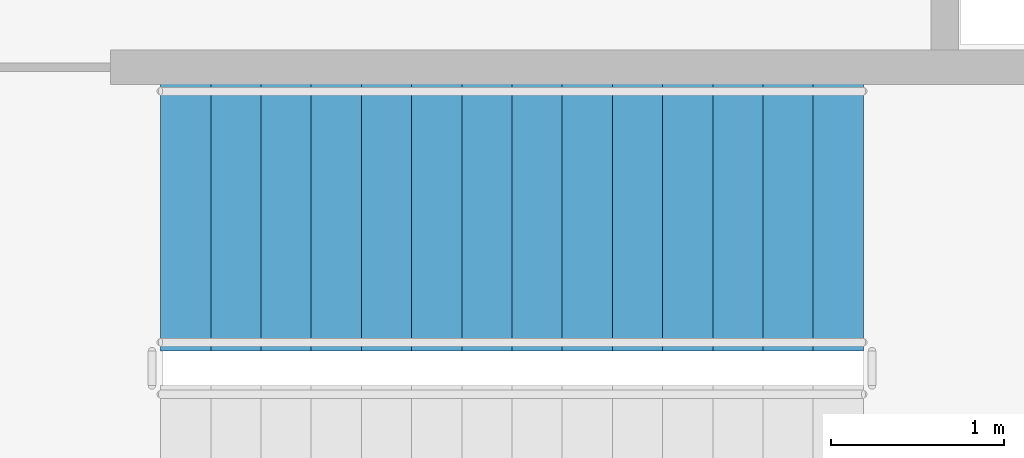
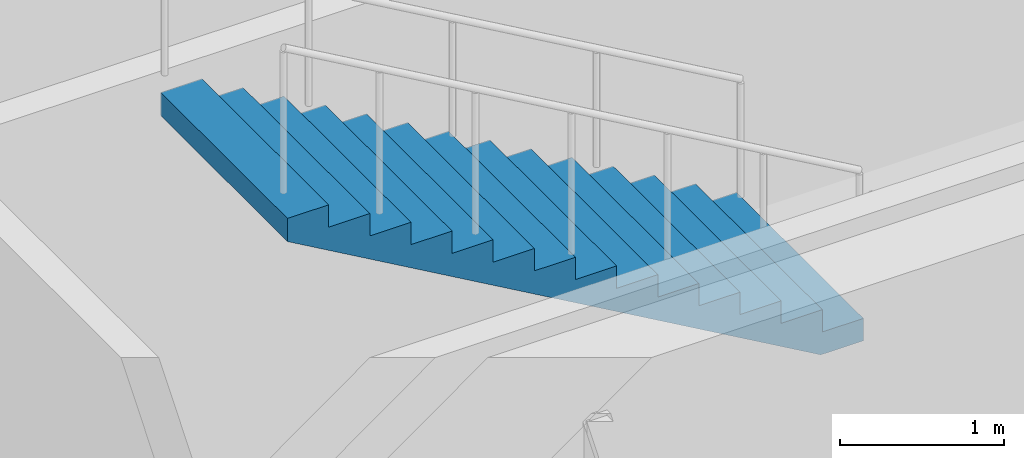
# One storey, part 20 of 23: 1 stair flight, 1 element without a shape of its own.
"""IFC4 building model written with IfcOpenShell, lengths in metres."""

from ifc_helpers import new_model, si_unit, direction, frame, origin, place, context, subcontext, project, spatial, polyline, outline, extrude, material, type_object, element, aggregate, save


model = new_model("IFC4")

# Units and contexts
model_context = context("Model", 3, precision=1e-05, world=origin(), true_north=direction((0.0, 1.0)))
body_context = subcontext(model_context, "Body", "Model", "MODEL_VIEW")
ifc_project = project(units=[si_unit("LENGTHUNIT", "METRE"), si_unit("AREAUNIT", "SQUARE_METRE"), si_unit("VOLUMEUNIT", "CUBIC_METRE"), si_unit("PLANEANGLEUNIT", "RADIAN"), si_unit("MASSUNIT", "GRAM", prefix="KILO")], contexts=[model_context])

# Site, building, storey
site_placement = place(None, origin())
site = spatial("IfcSite", under=ifc_project, at=site_placement, CompositionType="ELEMENT")
building_placement = place(site_placement, origin())
building = spatial("IfcBuilding", under=site, at=building_placement, Name="Putna Gate Headquarters", CompositionType="ELEMENT")
storey_placement = place(building_placement, frame((0.0, 0.0, 310.39990234375)))
storey = spatial("IfcBuildingStorey", under=building, at=storey_placement, Name="L78", CompositionType="ELEMENT", Elevation=310.39990234375)

# Stair, stair flight
ifc_material = material(Name="Concrete C40/50", Category="concrete")
stair_type = type_object("IfcStairType", Name="STAIR-ST2", PredefinedType="HALF_TURN_STAIR", material=ifc_material)
stair_placement = place(storey_placement, origin())
stair = element("IfcStair", 1, at=stair_placement, inside=storey, type_object=stair_type, Name="L78 East Core Exit Stair ST2", PredefinedType="HALF_TURN_STAIR")
stair_flight_type = type_object("IfcStairFlightType", Name="FLIGHT-ST2", PredefinedType="STRAIGHT", material=ifc_material)
stair_flight_placement = place(storey_placement, frame((61.9599609375, 22.125, 2.5), z_axis=(0.0, 0.0, 1.0), x_axis=(-1.0, 0.0, 0.0)))
stair_flight = element("IfcStairFlight", 2, at=stair_flight_placement, type_object=stair_flight_type, Name="ST2 flight 2", NumberOfRisers=15, NumberOfTreads=14, PredefinedType="STRAIGHT", RiserHeight=0.166666667, TreadLength=0.29, context=body_context, shape_type="SweptSolid", body=[
    extrude(outline(polyline([(0.0, 0.0), (0.0, 0.166748046875), (0.2900390625, 0.166748046875), (0.2900390625, 0.333251953125), (0.580078125, 0.333251953125), (0.580078125, 0.5), (0.8701171875, 0.5), (0.8701171875, 0.666748046875), (1.159912109375, 0.666748046875), (1.159912109375, 0.833251953125), (1.449951171875, 0.833251953125), (1.449951171875, 1.0), (1.739990234375, 1.0), (1.739990234375, 1.166748046875), (2.030029296875, 1.166748046875), (2.030029296875, 1.333251953125), (2.320068359375, 1.333251953125), (2.320068359375, 1.5), (2.610107421875, 1.5), (2.610107421875, 1.666748046875), (2.89990234375, 1.666748046875), (2.89990234375, 1.833251953125), (3.18994140625, 1.833251953125), (3.18994140625, 2.0), (3.47998046875, 2.0), (3.47998046875, 2.166748046875), (3.77001953125, 2.166748046875), (3.77001953125, 2.333251953125), (4.06005859375, 2.333251953125), (4.06005859375, 2.5), (4.06005859375, 2.160400390625), (0.30078125, 0.0), (0.0, 0.0)])), frame((0.0, 0.77490234375, 0.0), z_axis=(0.0, -1.0, 0.0), x_axis=(1.0, 0.0, 0.0)), (0.0, 0.0, 1.0), 1.550048828125),
])
aggregate(stair, [stair_flight])

save(model, "model.ifc")
